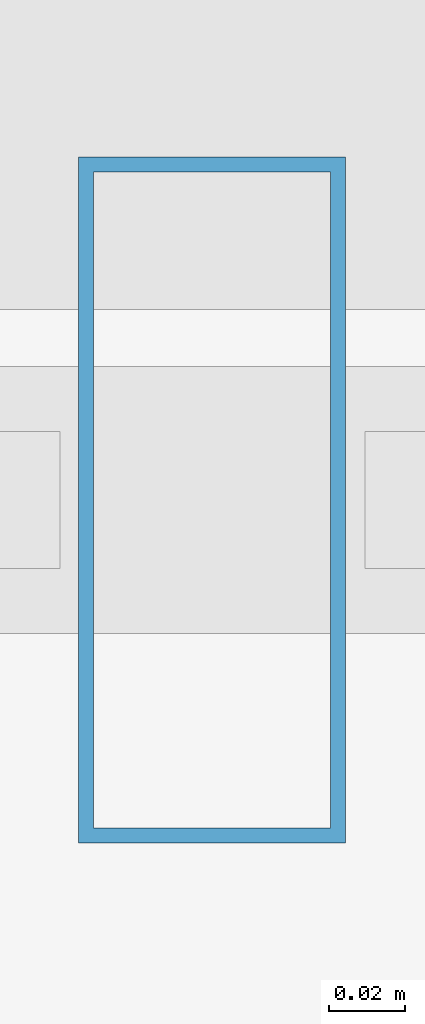
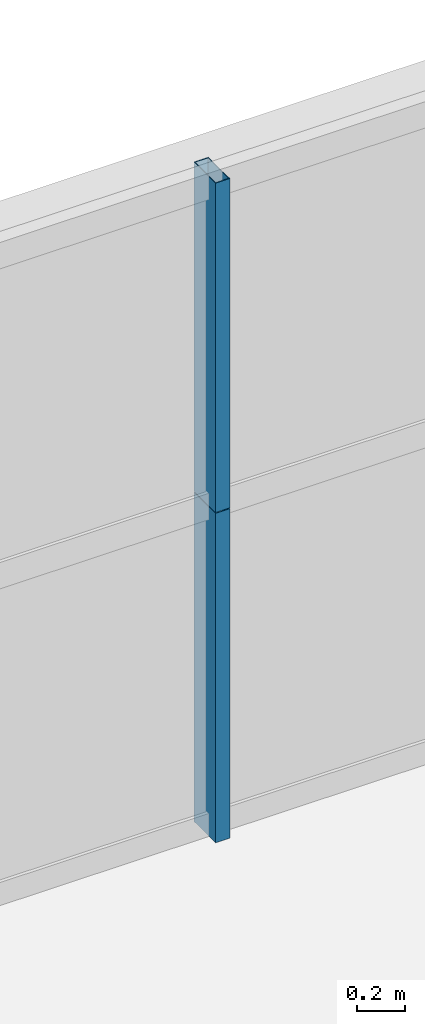
# One storey, part 28 of 43: 2 members, 1 element without a shape of its own.
"""IFC4 building model written with IfcOpenShell, lengths in metres."""

from ifc_helpers import new_model, si_unit, direction, frame, origin, origin_2d, place, context, subcontext, project, spatial, hollow_rectangle, extrude, source, transform, mapped, material, layer, layer_set, material_profile, profile_set, type_object, element, aggregate, save


model = new_model("IFC4")

# Units and contexts
model_context = context("Model", 3, precision=1e-05, world=origin(), true_north=direction((0.0, 1.0)))
body_context = subcontext(model_context, "Body", "Model", "MODEL_VIEW")
ifc_project = project(units=[si_unit("LENGTHUNIT", "METRE"), si_unit("AREAUNIT", "SQUARE_METRE"), si_unit("VOLUMEUNIT", "CUBIC_METRE"), si_unit("PLANEANGLEUNIT", "RADIAN"), si_unit("MASSUNIT", "GRAM", prefix="KILO"), si_unit("THERMODYNAMICTEMPERATUREUNIT", "KELVIN"), si_unit("POWERUNIT", "WATT")], contexts=[model_context])

# Site, building, storey
site_placement = place(None, origin())
site = spatial("IfcSite", under=ifc_project, at=site_placement, CompositionType="ELEMENT")
building_placement = place(site_placement, origin())
building = spatial("IfcBuilding", under=site, at=building_placement, Name="Yuzanri Waterfront Tower", CompositionType="ELEMENT")
storey_placement = place(building_placement, frame((0.0, 0.0, 60.39990234375)))
storey = spatial("IfcBuildingStorey", under=building, at=storey_placement, Name="L15", CompositionType="ELEMENT", Elevation=60.39990234375)

# Curtain wall, members
ifc_material_1 = material(Name="Anodized Architectural Bronze", Category="metal")
ifc_layer = layer(ifc_material_1, 0.159912109375)
ifc_layer_set = layer_set([ifc_layer], Name="Anodized Architectural Bronze")
curtain_wall_type = type_object("IfcCurtainWallType", Name="Anodized Bronze Hotel Lower-Tier Recessed Unitized Curtain Wall 8100", PredefinedType="NOTDEFINED", material=ifc_layer_set)
curtain_wall_placement = place(storey_placement, origin())
curtain_wall = element("IfcCurtainWall", 1, at=curtain_wall_placement, inside=storey, type_object=curtain_wall_type, Name="L15 Curtain Wall CW-L15-NL", PredefinedType="NOTDEFINED")
ifc_material_2 = material(Name="Anodized Architectural Bronze", Category="metal")
ifc_material_profile = material_profile(ifc_material_2, hollow_rectangle(XDim=0.070068359375, YDim=0.179931640625, WallThickness=0.00390625, at=origin_2d()), Name="CWM 70x180")
ifc_profile_set = profile_set([ifc_material_profile], Name="Anodized Architectural Bronze")
member_type = type_object("IfcMemberType", Name="Anodized Bronze Standard Curtain-Wall Mullion 70x180", PredefinedType="MULLION", material=ifc_profile_set)
shared_shape = source(origin(), body_context, "Body", "SweptSolid", [
    extrude(hollow_rectangle(XDim=0.070068359375, YDim=0.179931640625, WallThickness=0.00390625, at=origin_2d()), origin(), (0.0, 0.0, 1.0), 1.68798828125),
])
member_1_placement = place(storey_placement, frame((27.89990234375, 50.75, 0.0), z_axis=(0.0, 0.0, 1.0), x_axis=(1.0, 0.0, 0.0)))
member_1 = element("IfcMember", 2, at=member_1_placement, type_object=member_type, Name="CW-L15-NL Lower Mullion 01", PredefinedType="MULLION", context=body_context, shape_type="MappedRepresentation", body=[
    mapped(shared_shape, transform((0.0, 0.0, 0.0), scale=1.0)),
])
member_2_placement = place(storey_placement, frame((27.89990234375, 50.75, 1.692138671875), z_axis=(0.0, 0.0, 1.0), x_axis=(1.0, 0.0, 0.0)))
member_2 = element("IfcMember", 3, at=member_2_placement, type_object=member_type, Name="CW-L15-NL Upper Mullion 01", PredefinedType="MULLION", context=body_context, shape_type="MappedRepresentation", body=[
    mapped(shared_shape, transform((0.0, 0.0, 0.0), scale=1.0)),
])
aggregate(curtain_wall, [member_1, member_2])

save(model, "model.ifc")
